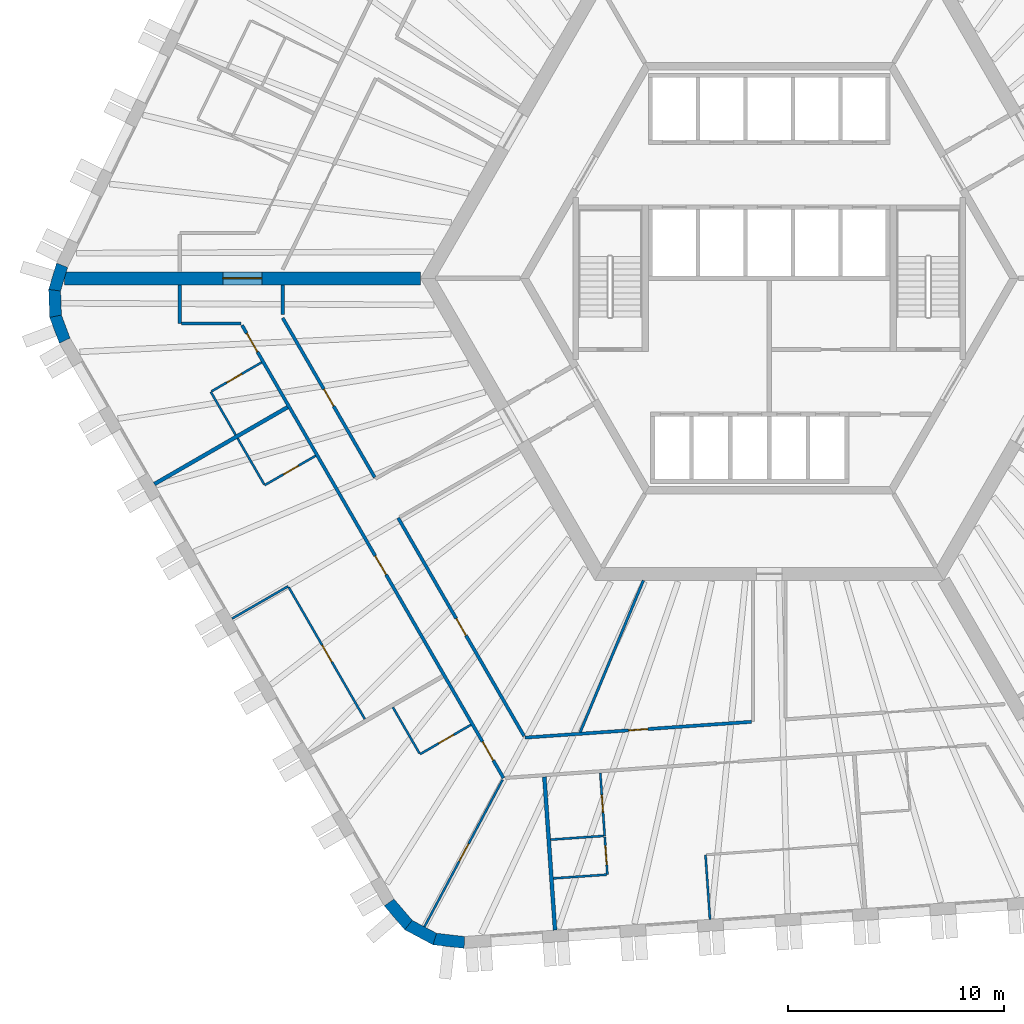
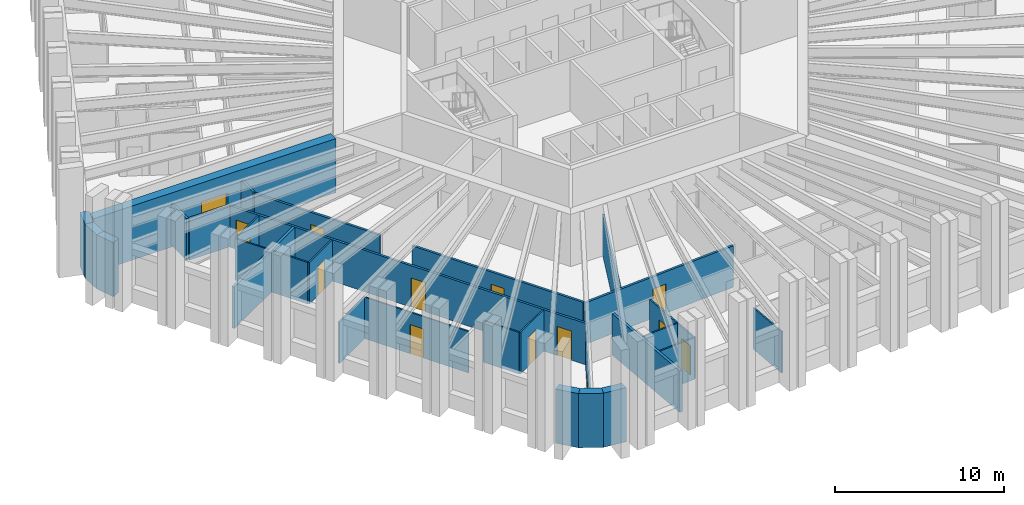
# One storey, part 3 of 13: 31 walls, 14 doors, 14 openings.
"""IFC4 building model written with IfcOpenShell, lengths in metres."""

from ifc_helpers import new_model, si_unit, direction, frame, frame_2d, origin, place, context, subcontext, project, spatial, polyline, rectangle, outline, extrude, material, layer, layer_set, type_object, element, fill, save


model = new_model("IFC4")

# Units and contexts
model_context = context("Model", 3, precision=1e-05, world=origin(), true_north=direction((0.0, 1.0)))
body_context = subcontext(model_context, "Body", "Model", "MODEL_VIEW")
ifc_project = project(units=[si_unit("LENGTHUNIT", "METRE"), si_unit("AREAUNIT", "SQUARE_METRE"), si_unit("VOLUMEUNIT", "CUBIC_METRE"), si_unit("PLANEANGLEUNIT", "RADIAN"), si_unit("MASSUNIT", "GRAM", prefix="KILO")], contexts=[model_context])

# Site, building, storey
site_placement = place(None, origin())
site = spatial("IfcSite", under=ifc_project, at=site_placement, CompositionType="ELEMENT")
building_placement = place(site_placement, origin())
building = spatial("IfcBuilding", under=site, at=building_placement, Name="Tarnside Tower", CompositionType="ELEMENT")
storey_placement = place(building_placement, frame((0.0, 0.0, 92.10009765625)))
storey = spatial("IfcBuildingStorey", under=building, at=storey_placement, Name="L20", CompositionType="ELEMENT", Elevation=92.10009765625)

# Wall
ifc_material_1 = material(Name="Gypsum board partition on steel studs", Category="steel")
ifc_layer_1 = layer(ifc_material_1, 0.10009765625)
ifc_layer_set_1 = layer_set([ifc_layer_1], Name="Bathroom wall 100")
wall_type_1 = type_object("IfcWallType", Name="Bathroom wall 100", PredefinedType="PARTITIONING", material=ifc_layer_set_1)
wall_1_placement = place(storey_placement, frame((-24.7333984375, -7.260498046875, 0.0), z_axis=(0.0, 0.0, 1.0), x_axis=(-0.500015210774, 0.866016621662, 0.0)))
element("IfcWall", 1, at=wall_1_placement, inside=storey, type_object=wall_type_1, Name="Bathroom wall 06110", PredefinedType="PARTITIONING", context=body_context, shape_type="SweptSolid", body=[
    extrude(rectangle(XDim=2.31005859375, YDim=0.10009765625, at=frame_2d((1.155029296875, 0.0))), origin(), (0.0, 0.0, 1.0), 2.98779296875),
])

# Wall, opening, door
wall_2_placement = place(storey_placement, frame((-25.84521484375, -5.23486328125, 0.0), z_axis=(0.0, 0.0, 1.0), x_axis=(0.86604424267, 0.499967368674, 0.0)))
wall_2 = element("IfcWall", 2, at=wall_2_placement, inside=storey, type_object=wall_type_1, Name="Bathroom wall 06111", PredefinedType="PARTITIONING", context=body_context, shape_type="SweptSolid", body=[
    extrude(rectangle(XDim=2.675048828125, YDim=0.10009765625, at=frame_2d((1.33740234375, 0.0))), origin(), (0.0, 0.0, 1.0), 2.98779296875),
])
opening_1_placement = place(wall_2_placement, frame((0.81005859375, 0.0, 0.0)))
opening_1 = element("IfcOpeningElement", 3, at=opening_1_placement, cuts=wall_2, Name="Opening D-B1", PredefinedType="OPENING", context=body_context, shape_type="SweptSolid", body=[
    extrude(rectangle(XDim=0.800048828125, YDim=2.10009765625, at=frame_2d((0.39990234375, 1.050048828125))), frame((0.0, 0.06005859375, 0.0), z_axis=(0.0, -1.0, 0.0), x_axis=(1.0, 0.0, 0.0)), (0.0, 0.0, 1.0), 0.1201171875),
])
ifc_material_2 = material(Name="Timber door leaf", Category="wood")
door_type_1 = type_object("IfcDoorType", Name="Bathroom door 800", OperationType="NOTDEFINED", PredefinedType="DOOR", material=ifc_material_2)
door_1_placement = place(opening_1_placement, origin())
door_1 = element("IfcDoor", 4, at=door_1_placement, inside=storey, type_object=door_type_1, Name="Bathroom door 06017", OperationType="SINGLE_SWING_RIGHT", OverallHeight=2.10009765625, OverallWidth=0.800048828125, PredefinedType="DOOR", context=body_context, shape_type="SweptSolid", body=[
    extrude(rectangle(XDim=0.800048828125, YDim=2.10009765625, at=frame_2d((0.39990234375, 1.050048828125))), frame((0.0, 0.02490234375, 0.0), z_axis=(0.0, -1.0, 0.0), x_axis=(1.0, 0.0, 0.0)), (0.0, 0.0, 1.0), 0.050048828125),
])
fill(opening_1, door_1)

wall_3_placement = place(storey_placement, frame((-21.028564453125, -8.2275390625, 0.0), z_axis=(0.0, 0.0, 1.0), x_axis=(-0.866012511928, -0.500022328685, 0.0)))
wall_3 = element("IfcWall", 5, at=wall_3_placement, inside=storey, type_object=wall_type_1, Name="Bathroom wall 06114", PredefinedType="PARTITIONING", context=body_context, shape_type="SweptSolid", body=[
    extrude(rectangle(XDim=2.72509765625, YDim=0.10009765625, at=frame_2d((1.362548828125, 0.0))), origin(), (0.0, 0.0, 1.0), 2.98779296875),
])
opening_2_placement = place(wall_3_placement, frame((0.925048828125, 0.0, 0.0)))
opening_2 = element("IfcOpeningElement", 6, at=opening_2_placement, cuts=wall_3, Name="Opening D-B1", PredefinedType="OPENING", context=body_context, shape_type="SweptSolid", body=[
    extrude(rectangle(XDim=0.800048828125, YDim=2.10009765625, at=frame_2d((0.39990234375, 1.050048828125))), frame((0.0, 0.06005859375, 0.0), z_axis=(0.0, -1.0, 0.0), x_axis=(1.0, 0.0, 0.0)), (0.0, 0.0, 1.0), 0.1201171875),
])
door_2_placement = place(opening_2_placement, origin())
door_2 = element("IfcDoor", 7, at=door_2_placement, inside=storey, type_object=door_type_1, Name="Bathroom door 06019", OperationType="SINGLE_SWING_RIGHT", OverallHeight=2.10009765625, OverallWidth=0.800048828125, PredefinedType="DOOR", context=body_context, shape_type="SweptSolid", body=[
    extrude(rectangle(XDim=0.800048828125, YDim=2.10009765625, at=frame_2d((0.39990234375, 1.050048828125))), frame((0.0, 0.02490234375, 0.0), z_axis=(0.0, -1.0, 0.0), x_axis=(1.0, 0.0, 0.0)), (0.0, 0.0, 1.0), 0.050048828125),
])
fill(opening_2, door_2)

# Wall
wall_4_placement = place(storey_placement, frame((-23.413330078125, -9.546875, 0.0), z_axis=(0.0, 0.0, 1.0), x_axis=(-0.499960120811, 0.86604842682, 0.0)))
element("IfcWall", 8, at=wall_4_placement, inside=storey, type_object=wall_type_1, Name="Bathroom wall 06115", PredefinedType="PARTITIONING", context=body_context, shape_type="SweptSolid", body=[
    extrude(rectangle(XDim=2.460205078125, YDim=0.10009765625, at=frame_2d((1.22998046875, 0.0))), origin(), (0.0, 0.0, 1.0), 2.98779296875),
])

# Wall, opening, door
wall_5_placement = place(storey_placement, frame((-13.82861328125, -20.6982421875, 0.0), z_axis=(0.0, 0.0, 1.0), x_axis=(-0.866012511928, -0.500022328685, 0.0)))
wall_5 = element("IfcWall", 9, at=wall_5_placement, inside=storey, type_object=wall_type_1, Name="Bathroom wall 06121", PredefinedType="PARTITIONING", context=body_context, shape_type="SweptSolid", body=[
    extrude(rectangle(XDim=2.72509765625, YDim=0.10009765625, at=frame_2d((1.362548828125, 0.0))), origin(), (0.0, 0.0, 1.0), 2.98779296875),
])
opening_3_placement = place(wall_5_placement, frame((0.925048828125, 0.0, 0.0)))
opening_3 = element("IfcOpeningElement", 10, at=opening_3_placement, cuts=wall_5, Name="Opening D-B1", PredefinedType="OPENING", context=body_context, shape_type="SweptSolid", body=[
    extrude(rectangle(XDim=0.800048828125, YDim=2.10009765625, at=frame_2d((0.39990234375, 1.050048828125))), frame((0.0, 0.06005859375, 0.0), z_axis=(0.0, -1.0, 0.0), x_axis=(1.0, 0.0, 0.0)), (0.0, 0.0, 1.0), 0.1201171875),
])
door_3_placement = place(opening_3_placement, origin())
door_3 = element("IfcDoor", 11, at=door_3_placement, inside=storey, type_object=door_type_1, Name="Bathroom door 06022", OperationType="SINGLE_SWING_RIGHT", OverallHeight=2.10009765625, OverallWidth=0.800048828125, PredefinedType="DOOR", context=body_context, shape_type="SweptSolid", body=[
    extrude(rectangle(XDim=0.800048828125, YDim=2.10009765625, at=frame_2d((0.39990234375, 1.050048828125))), frame((0.0, 0.02490234375, 0.0), z_axis=(0.0, -1.0, 0.0), x_axis=(1.0, 0.0, 0.0)), (0.0, 0.0, 1.0), 0.050048828125),
])
fill(opening_3, door_3)

# Wall
wall_6_placement = place(storey_placement, frame((-16.21337890625, -22.017578125, 0.0), z_axis=(0.0, 0.0, 1.0), x_axis=(-0.500003092839, 0.866023618125, 0.0)))
element("IfcWall", 12, at=wall_6_placement, inside=storey, type_object=wall_type_1, Name="Bathroom wall 06122", PredefinedType="PARTITIONING", context=body_context, shape_type="SweptSolid", body=[
    extrude(rectangle(XDim=2.4599609375, YDim=0.10009765625, at=frame_2d((1.22998046875, 0.0))), origin(), (0.0, 0.0, 1.0), 2.98779296875),
])

# Wall, opening, door
wall_7_placement = place(storey_placement, frame((-7.830810546875, -22.927001953125, 0.0), z_axis=(0.0, 0.0, 1.0), x_axis=(0.069775971057, -0.997562686683, 0.0)))
wall_7 = element("IfcWall", 13, at=wall_7_placement, inside=storey, type_object=wall_type_1, Name="Bathroom wall 06127", PredefinedType="PARTITIONING", context=body_context, shape_type="SweptSolid", body=[
    extrude(rectangle(XDim=2.925048828125, YDim=0.10009765625, at=frame_2d((1.46240234375, 0.0))), origin(), (0.0, 0.0, 1.0), 2.98779296875),
])
opening_4_placement = place(wall_7_placement, frame((1.02490234375, 0.0, 0.0)))
opening_4 = element("IfcOpeningElement", 14, at=opening_4_placement, cuts=wall_7, Name="Opening D-B1", PredefinedType="OPENING", context=body_context, shape_type="SweptSolid", body=[
    extrude(rectangle(XDim=0.800048828125, YDim=2.10009765625, at=frame_2d((0.39990234375, 1.050048828125))), frame((0.0, 0.06005859375, 0.0), z_axis=(0.0, -1.0, 0.0), x_axis=(1.0, 0.0, 0.0)), (0.0, 0.0, 1.0), 0.1201171875),
])
door_4_placement = place(opening_4_placement, origin())
door_4 = element("IfcDoor", 15, at=door_4_placement, inside=storey, type_object=door_type_1, Name="Bathroom door 06025", OperationType="SINGLE_SWING_RIGHT", OverallHeight=2.10009765625, OverallWidth=0.800048828125, PredefinedType="DOOR", context=body_context, shape_type="SweptSolid", body=[
    extrude(rectangle(XDim=0.800048828125, YDim=2.10009765625, at=frame_2d((0.39990234375, 1.050048828125))), frame((0.0, 0.02490234375, 0.0), z_axis=(0.0, -1.0, 0.0), x_axis=(1.0, 0.0, 0.0)), (0.0, 0.0, 1.0), 0.050048828125),
])
fill(opening_4, door_4)

# Wall
wall_8_placement = place(storey_placement, frame((-10.130615234375, -26.02001953125, 0.0), z_axis=(0.0, 0.0, 1.0), x_axis=(0.997562906323, 0.069772830877, 0.0)))
element("IfcWall", 16, at=wall_8_placement, inside=storey, type_object=wall_type_1, Name="Bathroom wall 06134", PredefinedType="PARTITIONING", context=body_context, shape_type="SweptSolid", body=[
    extrude(rectangle(XDim=2.4599609375, YDim=0.10009765625, at=frame_2d((1.22998046875, 0.0))), origin(), (0.0, 0.0, 1.0), 2.98779296875),
])

# Wall, opening, door
ifc_material_3 = material(Name="Concrete C80/95", Category="concrete")
ifc_layer_2 = layer(ifc_material_3, 0.60009765625)
ifc_layer_set_2 = layer_set([ifc_layer_2], Name="Core wall Z1 600 C80/95")
wall_type_2 = type_object("IfcWallType", Name="Core wall Z1 600 C80/95", PredefinedType="SHEAR", material=ifc_layer_set_2)
wall_9_placement = place(storey_placement, frame((-16.165771484375, 0.0, -0.150146484375), z_axis=(0.0, 0.0, 1.0), x_axis=(-1.0, 0.0, 0.0)))
wall_9 = element("IfcWall", 17, at=wall_9_placement, inside=storey, type_object=wall_type_2, Name="L20 spine wall 2", PredefinedType="SHEAR", context=body_context, shape_type="SweptSolid", body=[
    extrude(rectangle(XDim=16.509033203125, YDim=0.60009765625, at=frame_2d((8.25439453125, 0.0))), origin(), (0.0, 0.0, 1.0), 3.900146484375),
])
opening_5_placement = place(wall_9_placement, frame((7.3544921875, 0.0, 0.14990234375)))
opening_5 = element("IfcOpeningElement", 18, at=opening_5_placement, cuts=wall_9, Name="Opening CD-SPN", PredefinedType="OPENING", context=body_context, shape_type="SweptSolid", body=[
    extrude(rectangle(XDim=1.800048828125, YDim=2.39990234375, at=frame_2d((0.89990234375, 1.199951171875))), frame((0.0, 0.31005859375, 0.0), z_axis=(0.0, -1.0, 0.0), x_axis=(1.0, 0.0, 0.0)), (0.0, 0.0, 1.0), 0.6201171875),
])
ifc_material_4 = material(Name="Steel fire door", Category="steel")
door_type_2 = type_object("IfcDoorType", Name="Spine passage double door FD60 1800x2400", OperationType="NOTDEFINED", PredefinedType="DOOR", material=ifc_material_4)
door_5_placement = place(opening_5_placement, origin())
door_5 = element("IfcDoor", 19, at=door_5_placement, inside=storey, type_object=door_type_2, Name="L20 spine passage door 2", OperationType="DOUBLE_DOOR_SINGLE_SWING", OverallHeight=2.39990234375, OverallWidth=1.800048828125, PredefinedType="DOOR", context=body_context, shape_type="SweptSolid", body=[
    extrude(rectangle(XDim=1.800048828125, YDim=2.39990234375, at=frame_2d((0.89990234375, 1.199951171875))), frame((0.0, 0.02490234375, 0.0), z_axis=(0.0, -1.0, 0.0), x_axis=(1.0, 0.0, 0.0)), (0.0, 0.0, 1.0), 0.050048828125),
])
fill(opening_5, door_5)

# Walls
ifc_layer_3 = layer(ifc_material_1, 0.14990234375)
ifc_layer_set_3 = layer_set([ifc_layer_3], Name="Corridor wall 150 EI 60")
wall_type_3 = type_object("IfcWallType", Name="Corridor wall 150 EI 60", PredefinedType="PARTITIONING", material=ifc_layer_set_3)
wall_10_placement = place(storey_placement, frame((-27.3203125, -0.300048828125, 0.0), z_axis=(0.0, 0.0, 1.0), x_axis=(0.0, -1.0, 0.0)))
element("IfcWall", 20, at=wall_10_placement, inside=storey, type_object=wall_type_3, Name="Corridor wall 06025", PredefinedType="PARTITIONING", context=body_context, shape_type="SweptSolid", body=[
    extrude(rectangle(XDim=1.800048828125, YDim=0.14990234375, at=frame_2d((0.89990234375, 0.0))), origin(), (0.0, 0.0, 1.0), 2.98779296875),
])
wall_11_placement = place(storey_placement, frame((-27.245361328125, -2.10009765625, 0.0), z_axis=(0.0, 0.0, 1.0), x_axis=(1.0, 0.0, 0.0)))
element("IfcWall", 21, at=wall_11_placement, inside=storey, type_object=wall_type_3, Name="Corridor wall 06026", PredefinedType="PARTITIONING", context=body_context, shape_type="SweptSolid", body=[
    extrude(rectangle(XDim=2.765625, YDim=0.14990234375, at=frame_2d((1.3828125, 0.0))), origin(), (0.0, 0.0, 1.0), 2.98779296875),
])

# Wall, openings, doors
wall_12_placement = place(storey_placement, frame((-24.436279296875, -2.175048828125, 0.0), z_axis=(0.0, 0.0, 1.0), x_axis=(0.499996816197, -0.866027241946, 0.0)))
wall_12 = element("IfcWall", 22, at=wall_12_placement, inside=storey, type_object=wall_type_3, Name="Corridor wall 06027", PredefinedType="PARTITIONING", context=body_context, shape_type="SweptSolid", body=[
    extrude(rectangle(XDim=24.238037109375, YDim=0.14990234375, at=frame_2d((12.119140625, 0.0))), origin(), (0.0, 0.0, 1.0), 2.98779296875),
])
opening_6_placement = place(wall_12_placement, frame((0.429443359375, 0.0, 0.0)))
opening_6 = element("IfcOpeningElement", 23, at=opening_6_placement, cuts=wall_12, Name="Opening D-E1", PredefinedType="OPENING", context=body_context, shape_type="SweptSolid", body=[
    extrude(rectangle(XDim=1.0, YDim=2.10009765625, at=frame_2d((0.5, 1.050048828125))), frame((0.0, 0.0849609375, 0.0), z_axis=(0.0, -1.0, 0.0), x_axis=(1.0, 0.0, 0.0)), (0.0, 0.0, 1.0), 0.169921875),
])
opening_7_placement = place(wall_12_placement, frame((12.345703125, 0.0, 0.0)))
opening_7 = element("IfcOpeningElement", 24, at=opening_7_placement, cuts=wall_12, Name="Opening D-E1", PredefinedType="OPENING", context=body_context, shape_type="SweptSolid", body=[
    extrude(rectangle(XDim=1.0, YDim=2.10009765625, at=frame_2d((0.5, 1.050048828125))), frame((0.0, 0.0849609375, 0.0), z_axis=(0.0, -1.0, 0.0), x_axis=(1.0, 0.0, 0.0)), (0.0, 0.0, 1.0), 0.169921875),
])
opening_8_placement = place(wall_12_placement, frame((22.291748046875, 0.0, 0.0)))
opening_8 = element("IfcOpeningElement", 25, at=opening_8_placement, cuts=wall_12, Name="Opening D-E1", PredefinedType="OPENING", context=body_context, shape_type="SweptSolid", body=[
    extrude(rectangle(XDim=1.0, YDim=2.10009765625, at=frame_2d((0.5, 1.050048828125))), frame((0.0, 0.0849609375, 0.0), z_axis=(0.0, -1.0, 0.0), x_axis=(1.0, 0.0, 0.0)), (0.0, 0.0, 1.0), 0.169921875),
])
door_type_3 = type_object("IfcDoorType", Name="Unit entrance door 1000 FD30S", OperationType="NOTDEFINED", PredefinedType="DOOR", material=ifc_material_2)
door_6_placement = place(opening_6_placement, origin())
door_6 = element("IfcDoor", 26, at=door_6_placement, inside=storey, type_object=door_type_3, Name="Unit door 06016", OperationType="SINGLE_SWING_RIGHT", OverallHeight=2.10009765625, OverallWidth=1.0, PredefinedType="DOOR", context=body_context, shape_type="SweptSolid", body=[
    extrude(rectangle(XDim=1.0, YDim=2.10009765625, at=frame_2d((0.5, 1.050048828125))), frame((0.0, 0.02490234375, 0.0), z_axis=(0.0, -1.0, 0.0), x_axis=(1.0, 0.0, 0.0)), (0.0, 0.0, 1.0), 0.050048828125),
])
fill(opening_6, door_6)
door_7_placement = place(opening_7_placement, origin())
door_7 = element("IfcDoor", 27, at=door_7_placement, inside=storey, type_object=door_type_3, Name="Unit door 06018", OperationType="SINGLE_SWING_RIGHT", OverallHeight=2.10009765625, OverallWidth=1.0, PredefinedType="DOOR", context=body_context, shape_type="SweptSolid", body=[
    extrude(rectangle(XDim=1.0, YDim=2.10009765625, at=frame_2d((0.5, 1.050048828125))), frame((0.0, 0.02490234375, 0.0), z_axis=(0.0, -1.0, 0.0), x_axis=(1.0, 0.0, 0.0)), (0.0, 0.0, 1.0), 0.050048828125),
])
fill(opening_7, door_7)
door_8_placement = place(opening_8_placement, origin())
door_8 = element("IfcDoor", 28, at=door_8_placement, inside=storey, type_object=door_type_3, Name="Unit door 06021", OperationType="SINGLE_SWING_LEFT", OverallHeight=2.10009765625, OverallWidth=1.0, PredefinedType="DOOR", context=body_context, shape_type="SweptSolid", body=[
    extrude(rectangle(XDim=1.0, YDim=2.10009765625, at=frame_2d((0.5, 1.050048828125))), frame((0.0, 0.02490234375, 0.0), z_axis=(0.0, -1.0, 0.0), x_axis=(1.0, 0.0, 0.0)), (0.0, 0.0, 1.0), 0.050048828125),
])
fill(opening_8, door_8)

# Wall, opening, door
wall_13_placement = place(storey_placement, frame((-18.287109375, -9.225830078125, 0.0), z_axis=(0.0, 0.0, 1.0), x_axis=(-0.500004853958, 0.866022601332, 0.0)))
wall_13 = element("IfcWall", 29, at=wall_13_placement, inside=storey, type_object=wall_type_3, Name="Corridor wall 06041", PredefinedType="PARTITIONING", context=body_context, shape_type="SweptSolid", body=[
    extrude(rectangle(XDim=8.53125, YDim=0.14990234375, at=frame_2d((4.265625, 0.0))), origin(), (0.0, 0.0, 1.0), 2.98779296875),
])
opening_9_placement = place(wall_13_placement, frame((3.815673828125, 0.0, 0.0)))
opening_9 = element("IfcOpeningElement", 30, at=opening_9_placement, cuts=wall_13, Name="Opening D-S1", PredefinedType="OPENING", context=body_context, shape_type="SweptSolid", body=[
    extrude(rectangle(XDim=0.89990234375, YDim=2.10009765625, at=frame_2d((0.449951171875, 1.050048828125))), frame((0.0, 0.0849609375, 0.0), z_axis=(0.0, -1.0, 0.0), x_axis=(1.0, 0.0, 0.0)), (0.0, 0.0, 1.0), 0.169921875),
])
door_type_4 = type_object("IfcDoorType", Name="Service room door 900 FD30S", OperationType="NOTDEFINED", PredefinedType="DOOR", material=ifc_material_2)
door_9_placement = place(opening_9_placement, origin())
door_9 = element("IfcDoor", 31, at=door_9_placement, inside=storey, type_object=door_type_4, Name="Service door 06046", OperationType="SINGLE_SWING_RIGHT", OverallHeight=2.10009765625, OverallWidth=0.89990234375, PredefinedType="DOOR", context=body_context, shape_type="SweptSolid", body=[
    extrude(rectangle(XDim=0.89990234375, YDim=2.10009765625, at=frame_2d((0.449951171875, 1.050048828125))), frame((0.0, 0.02490234375, 0.0), z_axis=(0.0, -1.0, 0.0), x_axis=(1.0, 0.0, 0.0)), (0.0, 0.0, 1.0), 0.050048828125),
])
fill(opening_9, door_9)

# Wall
wall_14_placement = place(storey_placement, frame((-22.552734375, -1.6875, 0.0), z_axis=(0.0, 0.0, 1.0), x_axis=(0.0, 1.0, 0.0)))
element("IfcWall", 32, at=wall_14_placement, inside=storey, type_object=wall_type_3, Name="Corridor wall 06042", PredefinedType="PARTITIONING", context=body_context, shape_type="SweptSolid", body=[
    extrude(rectangle(XDim=1.387451171875, YDim=0.14990234375, at=frame_2d((0.69384765625, 0.0))), origin(), (0.0, 0.0, 1.0), 2.98779296875),
])

# Wall, opening, door
wall_15_placement = place(storey_placement, frame((-0.824951171875, -20.5576171875, 0.0), z_axis=(0.0, 0.0, 1.0), x_axis=(-0.997564524135, -0.069749696677, 0.0)))
wall_15 = element("IfcWall", 33, at=wall_15_placement, inside=storey, type_object=wall_type_3, Name="Corridor wall 06044", PredefinedType="PARTITIONING", context=body_context, shape_type="SweptSolid", body=[
    extrude(rectangle(XDim=10.521728515625, YDim=0.14990234375, at=frame_2d((5.2607421875, 0.0))), origin(), (0.0, 0.0, 1.0), 2.98779296875),
])
opening_10_placement = place(wall_15_placement, frame((4.810791015625, 0.0, 0.0)))
opening_10 = element("IfcOpeningElement", 34, at=opening_10_placement, cuts=wall_15, Name="Opening D-S1", PredefinedType="OPENING", context=body_context, shape_type="SweptSolid", body=[
    extrude(rectangle(XDim=0.89990234375, YDim=2.10009765625, at=frame_2d((0.449951171875, 1.050048828125))), frame((0.0, 0.0849609375, 0.0), z_axis=(0.0, -1.0, 0.0), x_axis=(1.0, 0.0, 0.0)), (0.0, 0.0, 1.0), 0.169921875),
])
door_10_placement = place(opening_10_placement, origin())
door_10 = element("IfcDoor", 35, at=door_10_placement, inside=storey, type_object=door_type_4, Name="Service door 06047", OperationType="SINGLE_SWING_LEFT", OverallHeight=2.10009765625, OverallWidth=0.89990234375, PredefinedType="DOOR", context=body_context, shape_type="SweptSolid", body=[
    extrude(rectangle(XDim=0.89990234375, YDim=2.10009765625, at=frame_2d((0.449951171875, 1.050048828125))), frame((0.0, 0.02490234375, 0.0), z_axis=(0.0, -1.0, 0.0), x_axis=(1.0, 0.0, 0.0)), (0.0, 0.0, 1.0), 0.050048828125),
])
fill(opening_10, door_10)

wall_16_placement = place(storey_placement, frame((-11.362548828125, -21.21923828125, 0.0), z_axis=(0.0, 0.0, 1.0), x_axis=(-0.50001451402, 0.866017023949, 0.0)))
wall_16 = element("IfcWall", 36, at=wall_16_placement, inside=storey, type_object=wall_type_3, Name="Corridor wall 06046", PredefinedType="PARTITIONING", context=body_context, shape_type="SweptSolid", body=[
    extrude(rectangle(XDim=11.674072265625, YDim=0.14990234375, at=frame_2d((5.8369140625, 0.0))), origin(), (0.0, 0.0, 1.0), 2.98779296875),
])
opening_11_placement = place(wall_16_placement, frame((5.386962890625, 0.0, 0.0)))
opening_11 = element("IfcOpeningElement", 37, at=opening_11_placement, cuts=wall_16, Name="Opening D-S1", PredefinedType="OPENING", context=body_context, shape_type="SweptSolid", body=[
    extrude(rectangle(XDim=0.89990234375, YDim=2.10009765625, at=frame_2d((0.449951171875, 1.050048828125))), frame((0.0, 0.0849609375, 0.0), z_axis=(0.0, -1.0, 0.0), x_axis=(1.0, 0.0, 0.0)), (0.0, 0.0, 1.0), 0.169921875),
])
door_11_placement = place(opening_11_placement, origin())
door_11 = element("IfcDoor", 38, at=door_11_placement, inside=storey, type_object=door_type_4, Name="Service door 06048", OperationType="SINGLE_SWING_RIGHT", OverallHeight=2.10009765625, OverallWidth=0.89990234375, PredefinedType="DOOR", context=body_context, shape_type="SweptSolid", body=[
    extrude(rectangle(XDim=0.89990234375, YDim=2.10009765625, at=frame_2d((0.449951171875, 1.050048828125))), frame((0.0, 0.02490234375, 0.0), z_axis=(0.0, -1.0, 0.0), x_axis=(1.0, 0.0, 0.0)), (0.0, 0.0, 1.0), 0.050048828125),
])
fill(opening_11, door_11)

# Walls
ifc_layer_4 = layer(ifc_material_1, 0.179931640625)
ifc_layer_set_4 = layer_set([ifc_layer_4], Name="Demising wall 180 EI 60")
wall_type_4 = type_object("IfcWallType", Name="Demising wall 180 EI 60", PredefinedType="PARTITIONING", material=ifc_layer_set_4)
for number, where, z_axis, x_axis, name in (
    (39, (-28.4990234375, -9.538330078125, 0.0), (0.0, 0.0, 1.0), (0.866024672353, 0.500001266874, 0.0), "Demising wall 06112"),
    (40, (-9.927490234375, -30.216064453125, 0.0), (0.0, 0.0, 1.0), (-0.069764000094, 0.997563523938, 0.0), "Demising wall 06124"),
):
    element("IfcWall", number, at=place(storey_placement, frame(where, z_axis=z_axis, x_axis=x_axis)), inside=storey, type_object=wall_type_4, Name=name, PredefinedType="PARTITIONING", context=body_context, shape_type="SweptSolid", body=[
        extrude(rectangle(XDim=7.125, YDim=0.179931640625, at=frame_2d((3.5625, 0.0))), origin(), (0.0, 0.0, 1.0), 2.98779296875),
    ])
ifc_layer_5 = layer(ifc_material_1, 0.10009765625)
ifc_layer_set_5 = layer_set([ifc_layer_5], Name="Partition 100")
wall_type_5 = type_object("IfcWallType", Name="Partition 100", PredefinedType="PARTITIONING", material=ifc_layer_set_5)
wall_17_placement = place(storey_placement, frame((-24.89892578125, -15.773681640625, 0.0), z_axis=(0.0, 0.0, 1.0), x_axis=(0.866066333729, 0.499929100554, 0.0)))
element("IfcWall", 41, at=wall_17_placement, inside=storey, type_object=wall_type_5, Name="Partition wall 06116", PredefinedType="PARTITIONING", context=body_context, shape_type="SweptSolid", body=[
    extrude(rectangle(XDim=3.0, YDim=0.10009765625, at=frame_2d((1.5, 0.0))), origin(), (0.0, 0.0, 1.0), 2.98779296875),
])

# Wall, opening, door
wall_18_placement = place(storey_placement, frame((-22.27587890625, -14.317138671875, 0.0), z_axis=(0.0, 0.0, 1.0), x_axis=(0.500010820671, -0.866019156377, 0.0)))
wall_18 = element("IfcWall", 42, at=wall_18_placement, inside=storey, type_object=wall_type_5, Name="Partition wall 06117", PredefinedType="PARTITIONING", context=body_context, shape_type="SweptSolid", body=[
    extrude(rectangle(XDim=7.059814453125, YDim=0.10009765625, at=frame_2d((3.52978515625, 0.0))), origin(), (0.0, 0.0, 1.0), 2.98779296875),
])
opening_12_placement = place(wall_18_placement, frame((3.10009765625, 0.0, 0.0)))
opening_12 = element("IfcOpeningElement", 43, at=opening_12_placement, cuts=wall_18, Name="Opening D-I1", PredefinedType="OPENING", context=body_context, shape_type="SweptSolid", body=[
    extrude(rectangle(XDim=0.89990234375, YDim=2.10009765625, at=frame_2d((0.449951171875, 1.050048828125))), frame((0.0, 0.06005859375, 0.0), z_axis=(0.0, -1.0, 0.0), x_axis=(1.0, 0.0, 0.0)), (0.0, 0.0, 1.0), 0.1201171875),
])
door_type_5 = type_object("IfcDoorType", Name="Internal door 900", OperationType="NOTDEFINED", PredefinedType="DOOR", material=ifc_material_2)
door_12_placement = place(opening_12_placement, origin())
door_12 = element("IfcDoor", 44, at=door_12_placement, inside=storey, type_object=door_type_5, Name="Internal door 06020", OperationType="SINGLE_SWING_LEFT", OverallHeight=2.10009765625, OverallWidth=0.89990234375, PredefinedType="DOOR", context=body_context, shape_type="SweptSolid", body=[
    extrude(rectangle(XDim=0.89990234375, YDim=2.10009765625, at=frame_2d((0.449951171875, 1.050048828125))), frame((0.0, 0.02490234375, 0.0), z_axis=(0.0, -1.0, 0.0), x_axis=(1.0, 0.0, 0.0)), (0.0, 0.0, 1.0), 0.050048828125),
])
fill(opening_12, door_12)

wall_19_placement = place(storey_placement, frame((-15.98291015625, -30.059326171875, 0.0), z_axis=(0.0, 0.0, 1.0), x_axis=(0.469478165736, 0.882944081976, 0.0)))
wall_19 = element("IfcWall", 45, at=wall_19_placement, inside=storey, type_object=wall_type_5, Name="Partition wall 06123", PredefinedType="PARTITIONING", context=body_context, shape_type="SweptSolid", body=[
    extrude(rectangle(XDim=7.71923828125, YDim=0.10009765625, at=frame_2d((3.859619140625, 0.0))), origin(), (0.0, 0.0, 1.0), 2.98779296875),
])
opening_13_placement = place(wall_19_placement, frame((3.453857421875, 0.0, 0.0)))
opening_13 = element("IfcOpeningElement", 46, at=opening_13_placement, cuts=wall_19, Name="Opening D-I1", PredefinedType="OPENING", context=body_context, shape_type="SweptSolid", body=[
    extrude(rectangle(XDim=0.89990234375, YDim=2.10009765625, at=frame_2d((0.449951171875, 1.050048828125))), frame((0.0, 0.06005859375, 0.0), z_axis=(0.0, -1.0, 0.0), x_axis=(1.0, 0.0, 0.0)), (0.0, 0.0, 1.0), 0.1201171875),
])
door_13_placement = place(opening_13_placement, origin())
door_13 = element("IfcDoor", 47, at=door_13_placement, inside=storey, type_object=door_type_5, Name="Internal door 06023", OperationType="SINGLE_SWING_LEFT", OverallHeight=2.10009765625, OverallWidth=0.89990234375, PredefinedType="DOOR", context=body_context, shape_type="SweptSolid", body=[
    extrude(rectangle(XDim=0.89990234375, YDim=2.10009765625, at=frame_2d((0.449951171875, 1.050048828125))), frame((0.0, 0.02490234375, 0.0), z_axis=(0.0, -1.0, 0.0), x_axis=(1.0, 0.0, 0.0)), (0.0, 0.0, 1.0), 0.050048828125),
])
fill(opening_13, door_13)

wall_20_placement = place(storey_placement, frame((-7.623291015625, -25.894775390625, 0.0), z_axis=(0.0, 0.0, 1.0), x_axis=(0.069750000204, -0.997564502913, 0.0)))
wall_20 = element("IfcWall", 48, at=wall_20_placement, inside=storey, type_object=wall_type_5, Name="Partition wall 06128", PredefinedType="PARTITIONING", context=body_context, shape_type="SweptSolid", body=[
    extrude(rectangle(XDim=1.75, YDim=0.10009765625, at=frame_2d((0.875, 0.0))), origin(), (0.0, 0.0, 1.0), 2.98779296875),
])
opening_14_placement = place(wall_20_placement, frame((0.39990234375, 0.0, 0.0)))
opening_14 = element("IfcOpeningElement", 49, at=opening_14_placement, cuts=wall_20, Name="Opening D-I1", PredefinedType="OPENING", context=body_context, shape_type="SweptSolid", body=[
    extrude(rectangle(XDim=0.89990234375, YDim=2.10009765625, at=frame_2d((0.449951171875, 1.050048828125))), frame((0.0, 0.06005859375, 0.0), z_axis=(0.0, -1.0, 0.0), x_axis=(1.0, 0.0, 0.0)), (0.0, 0.0, 1.0), 0.1201171875),
])
door_14_placement = place(opening_14_placement, origin())
door_14 = element("IfcDoor", 50, at=door_14_placement, inside=storey, type_object=door_type_5, Name="Internal door 06026", OperationType="SINGLE_SWING_RIGHT", OverallHeight=2.10009765625, OverallWidth=0.89990234375, PredefinedType="DOOR", context=body_context, shape_type="SweptSolid", body=[
    extrude(rectangle(XDim=0.89990234375, YDim=2.10009765625, at=frame_2d((0.449951171875, 1.050048828125))), frame((0.0, 0.02490234375, 0.0), z_axis=(0.0, -1.0, 0.0), x_axis=(1.0, 0.0, 0.0)), (0.0, 0.0, 1.0), 0.050048828125),
])
fill(opening_14, door_14)

# Walls
wall_21_placement = place(storey_placement, frame((-7.551025390625, -27.64404296875, 0.0), z_axis=(0.0, 0.0, 1.0), x_axis=(-0.997563389425, -0.069765923475, 0.0)))
element("IfcWall", 51, at=wall_21_placement, inside=storey, type_object=wall_type_5, Name="Partition wall 06129", PredefinedType="PARTITIONING", context=body_context, shape_type="SweptSolid", body=[
    extrude(rectangle(XDim=2.460205078125, YDim=0.10009765625, at=frame_2d((1.22998046875, 0.0))), origin(), (0.0, 0.0, 1.0), 2.98779296875),
])
wall_22_placement = place(storey_placement, frame((-2.7451171875, -29.7138671875, 0.0), z_axis=(0.0, 0.0, 1.0), x_axis=(-0.069743284499, 0.997564972454, 0.0)))
element("IfcWall", 52, at=wall_22_placement, inside=storey, type_object=wall_type_5, Name="Partition wall 06130", PredefinedType="PARTITIONING", context=body_context, shape_type="SweptSolid", body=[
    extrude(rectangle(XDim=3.0, YDim=0.10009765625, at=frame_2d((1.5, 0.0))), origin(), (0.0, 0.0, 1.0), 2.98779296875),
])
ifc_layer_6 = layer(ifc_material_1, 0.1201171875)
ifc_layer_set_6 = layer_set([ifc_layer_6], Name="Service room wall 120 EI 60")
wall_type_6 = type_object("IfcWallType", Name="Service room wall 120 EI 60", PredefinedType="PARTITIONING", material=ifc_layer_set_6)
wall_23_placement = place(storey_placement, frame((-5.830322265625, -14.0, 0.0), z_axis=(0.0, 0.0, 1.0), x_axis=(-0.384440276883, -0.923149865141, 0.0)))
element("IfcWall", 53, at=wall_23_placement, inside=storey, type_object=wall_type_6, Name="Service wall 06164", PredefinedType="PARTITIONING", context=body_context, shape_type="SweptSolid", body=[
    extrude(rectangle(XDim=7.623291015625, YDim=0.1201171875, at=frame_2d((3.8115234375, 0.0))), origin(), (0.0, 0.0, 1.0), 2.98779296875),
])
ifc_material_5 = material(Name="Facing brick", Category="masonry")
ifc_layer_7 = layer(ifc_material_5, 0.10205078125)
ifc_material_6 = material(Name="Concrete C60/75 precast", Category="concrete")
ifc_layer_8 = layer(ifc_material_6, 0.347900390625)
ifc_material_7 = material(Name="Mineral wool insulation")
ifc_layer_9 = layer(ifc_material_7, 0.10009765625)
ifc_layer_set_7 = layer_set([ifc_layer_7, ifc_layer_8, ifc_layer_9], Name="Tube wall 550 brick faced")
wall_type_7 = type_object("IfcWallType", Name="Tube wall 550 brick faced", PredefinedType="SOLIDWALL", material=ifc_layer_set_7)
wall_24_placement = place(storey_placement, frame((-32.77685546875, 0.605224609375, -0.150146484375), z_axis=(0.0, 0.0, 1.0), x_axis=(-0.286921497463, -0.957954098219, 0.0)))
element("IfcWall", 54, at=wall_24_placement, inside=storey, type_object=wall_type_7, Name="Tube wall L20 F2 chord 05", PredefinedType="SOLIDWALL", context=body_context, shape_type="SweptSolid", body=[
    extrude(outline(polyline([(-0.0224609375, -0.27490234375), (1.25341796875, -0.27490234375), (1.1630859375, 0.27490234375), (0.0224609375, 0.27490234375), (-0.0224609375, -0.27490234375)])), origin(), (0.0, 0.0, 1.0), 3.900146484375),
])
wall_25_placement = place(storey_placement, frame((-33.12353515625, -0.55224609375, -0.150146484375), z_axis=(0.0, 0.0, 1.0), x_axis=(0.03495638276, -0.999388838893, 0.0)))
element("IfcWall", 55, at=wall_25_placement, inside=storey, type_object=wall_type_7, Name="Tube wall L20 F2 chord 06", PredefinedType="SOLIDWALL", context=body_context, shape_type="SweptSolid", body=[
    extrude(outline(polyline([(-0.045166015625, -0.27490234375), (1.25341796875, -0.27490234375), (1.1630859375, 0.27490234375), (0.045166015625, 0.27490234375), (-0.045166015625, -0.27490234375)])), origin(), (0.0, 0.0, 1.0), 3.900146484375),
])
wall_26_placement = place(storey_placement, frame((-33.081298828125, -1.759765625, -0.150146484375), z_axis=(0.0, 0.0, 1.0), x_axis=(0.353027214741, -0.935613053378, 0.0)))
element("IfcWall", 56, at=wall_26_placement, inside=storey, type_object=wall_type_7, Name="Tube wall L20 F2 chord 07", PredefinedType="SOLIDWALL", context=body_context, shape_type="SweptSolid", body=[
    extrude(outline(polyline([(-0.045166015625, -0.27490234375), (1.230712890625, -0.27490234375), (1.185791015625, 0.27490234375), (0.045166015625, 0.27490234375), (-0.045166015625, -0.27490234375)])), origin(), (0.0, 0.0, 1.0), 3.900146484375),
])
wall_27_placement = place(storey_placement, frame((-17.619384765625, -28.932373046875, -0.150146484375), z_axis=(0.0, 0.0, 1.0), x_axis=(0.651621950847, -0.758543890078, 0.0)))
element("IfcWall", 57, at=wall_27_placement, inside=storey, type_object=wall_type_7, Name="Tube wall L20 F3 chord 09", PredefinedType="SOLIDWALL", context=body_context, shape_type="SweptSolid", body=[
    extrude(outline(polyline([(-0.025634765625, -0.27490234375), (1.430908203125, -0.27490234375), (1.327392578125, 0.27490234375), (0.025634765625, 0.27490234375), (-0.025634765625, -0.27490234375)])), origin(), (0.0, 0.0, 1.0), 3.900146484375),
])
wall_28_placement = place(storey_placement, frame((-16.720703125, -29.978515625, -0.150146484375), z_axis=(0.0, 0.0, 1.0), x_axis=(0.882994189209, -0.469383917304, 0.0)))
element("IfcWall", 58, at=wall_28_placement, inside=storey, type_object=wall_type_7, Name="Tube wall L20 F3 chord 10", PredefinedType="SOLIDWALL", context=body_context, shape_type="SweptSolid", body=[
    extrude(outline(polyline([(-0.0517578125, -0.27490234375), (1.4306640625, -0.27490234375), (1.3271484375, 0.27490234375), (0.0517578125, 0.27490234375), (-0.0517578125, -0.27490234375)])), origin(), (0.0, 0.0, 1.0), 3.900146484375),
])
wall_29_placement = place(storey_placement, frame((-15.503173828125, -30.625732421875, -0.150146484375), z_axis=(0.0, 0.0, 1.0), x_axis=(0.993232537394, -0.11614269956, 0.0)))
element("IfcWall", 59, at=wall_29_placement, inside=storey, type_object=wall_type_7, Name="Tube wall L20 F3 chord 11", PredefinedType="SOLIDWALL", context=body_context, shape_type="SweptSolid", body=[
    extrude(outline(polyline([(-0.0517578125, -0.27490234375), (1.404541015625, -0.27490234375), (1.353271484375, 0.27490234375), (0.0517578125, 0.27490234375), (-0.0517578125, -0.27490234375)])), origin(), (0.0, 0.0, 1.0), 3.900146484375),
])

save(model, "model.ifc")
